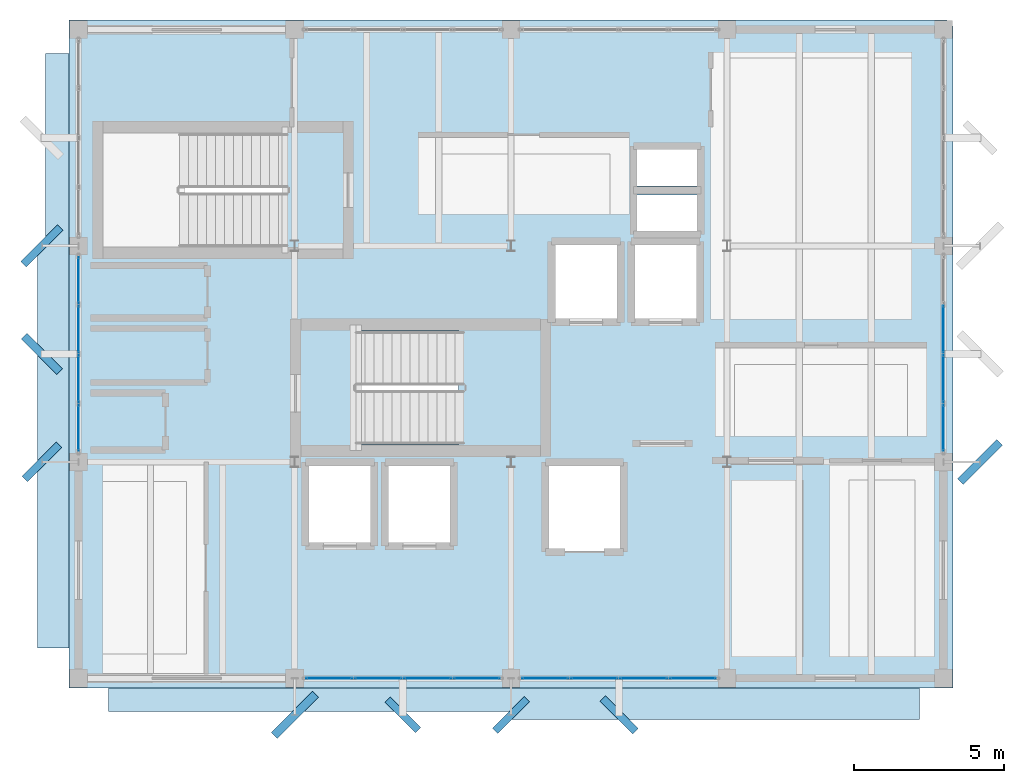
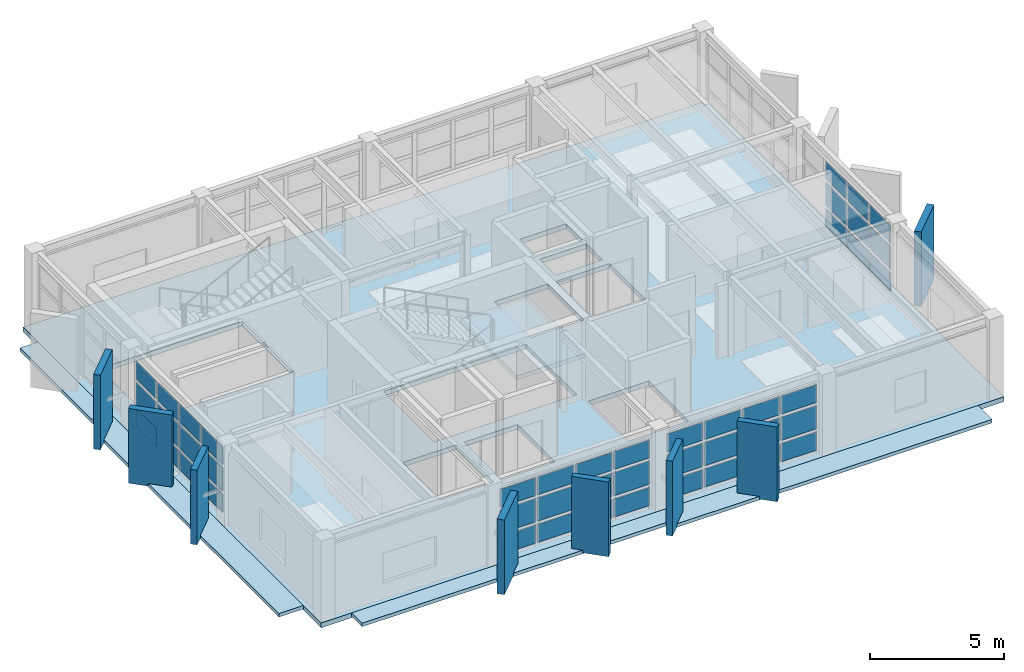
# One storey, part 9 of 15: 53 plates, 4 slabs, 5 elements without a shape of their own.
"""IFC4 building model written with IfcOpenShell, lengths in metres."""

from ifc_helpers import new_model, si_unit, direction, frame, origin, origin_2d, place, context, subcontext, project, spatial, polyline, rectangle, outline, extrude, material, layer, layer_set, type_object, element, aggregate, save


model = new_model("IFC4")

# Units and contexts
model_context = context("Model", 3, precision=1e-05, world=origin(), true_north=direction((0.0, 1.0)))
body_context = subcontext(model_context, "Body", "Model", "MODEL_VIEW")
ifc_project = project(units=[si_unit("LENGTHUNIT", "METRE"), si_unit("AREAUNIT", "SQUARE_METRE"), si_unit("VOLUMEUNIT", "CUBIC_METRE"), si_unit("PLANEANGLEUNIT", "RADIAN"), si_unit("MASSUNIT", "GRAM", prefix="KILO")], contexts=[model_context])

# Site, building, storey
site_placement = place(None, origin())
site = spatial("IfcSite", under=ifc_project, at=site_placement, CompositionType="ELEMENT")
building_placement = place(site_placement, origin())
building = spatial("IfcBuilding", under=site, at=building_placement, Name="Kandorven Conservatory and Botanical Research Centre", CompositionType="ELEMENT")
storey_placement = place(building_placement, frame((0.0, 0.0, 52.199951171875)))
storey = spatial("IfcBuildingStorey", under=building, at=storey_placement, Name="L13", CompositionType="ELEMENT", Elevation=52.199951171875)

# Curtain wall, plates
ifc_material_1 = material(Name="Bronze anodised thermally broken aluminium", Category="aluminium")
ifc_layer_1 = layer(ifc_material_1, 0.179931640625)
ifc_layer_set_1 = layer_set([ifc_layer_1], Name="Bronze anodised thermally broken aluminium")
curtain_wall_type = type_object("IfcCurtainWallType", Name="CW_Unitised", PredefinedType="USERDEFINED", material=ifc_layer_set_1)
curtain_wall_1_placement = place(storey_placement, origin())
curtain_wall_1 = element("IfcCurtainWall", 1, at=curtain_wall_1_placement, inside=storey, type_object=curtain_wall_type, Name="Tower laboratory curtain wall CW-TWR-S-L13-2", ObjectType="UNITISED GLAZING", PredefinedType="USERDEFINED")
ifc_material_2 = material(Name="Double-glazed solar-control low-E glass", Category="glass")
ifc_layer_2 = layer(ifc_material_2, 0.028076171875)
ifc_layer_set_2 = layer_set([ifc_layer_2], Name="Double-glazed solar-control low-E glass")
plate_type_1 = type_object("IfcPlateType", Name="CW_Panel", PredefinedType="CURTAIN_PANEL", material=ifc_layer_set_2)
plate_1_placement = place(storey_placement, frame((14.344970703125, 6.0, 0.14990234375), z_axis=(0.0, 0.0, 1.0), x_axis=(1.0, 0.0, 0.0)))
plate_1 = element("IfcPlate", 2, at=plate_1_placement, type_object=plate_type_1, Name="CW-01 panel 1.1", PredefinedType="CURTAIN_PANEL", context=body_context, shape_type="SweptSolid", body=[
    extrude(rectangle(XDim=1.530029296875, YDim=0.028076171875, at=origin_2d()), origin(), (0.0, 0.0, 1.0), 0.824951171875),
])
plate_2_placement = place(storey_placement, frame((14.344970703125, 6.0, 1.125), z_axis=(0.0, 0.0, 1.0), x_axis=(1.0, 0.0, 0.0)))
plate_2 = element("IfcPlate", 3, at=plate_2_placement, type_object=plate_type_1, Name="CW-01 panel 1.2", PredefinedType="CURTAIN_PANEL", context=body_context, shape_type="SweptSolid", body=[
    extrude(rectangle(XDim=1.530029296875, YDim=0.028076171875, at=origin_2d()), origin(), (0.0, 0.0, 1.0), 1.050048828125),
])
plate_3_placement = place(storey_placement, frame((14.344970703125, 6.0, 2.324951171875), z_axis=(0.0, 0.0, 1.0), x_axis=(1.0, 0.0, 0.0)))
plate_3 = element("IfcPlate", 4, at=plate_3_placement, type_object=plate_type_1, Name="CW-01 panel 1.3", PredefinedType="CURTAIN_PANEL", context=body_context, shape_type="SweptSolid", body=[
    extrude(rectangle(XDim=1.530029296875, YDim=0.028076171875, at=origin_2d()), origin(), (0.0, 0.0, 1.0), 0.81005859375),
])
plate_4_placement = place(storey_placement, frame((15.97509765625, 6.0, 0.14990234375), z_axis=(0.0, 0.0, 1.0), x_axis=(1.0, 0.0, 0.0)))
plate_4 = element("IfcPlate", 5, at=plate_4_placement, type_object=plate_type_1, Name="CW-01 panel 2.1", PredefinedType="CURTAIN_PANEL", context=body_context, shape_type="SweptSolid", body=[
    extrude(rectangle(XDim=1.570068359375, YDim=0.028076171875, at=origin_2d()), origin(), (0.0, 0.0, 1.0), 0.824951171875),
])
plate_5_placement = place(storey_placement, frame((15.97509765625, 6.0, 1.125), z_axis=(0.0, 0.0, 1.0), x_axis=(1.0, 0.0, 0.0)))
plate_5 = element("IfcPlate", 6, at=plate_5_placement, type_object=plate_type_1, Name="CW-01 panel 2.2", PredefinedType="CURTAIN_PANEL", context=body_context, shape_type="SweptSolid", body=[
    extrude(rectangle(XDim=1.570068359375, YDim=0.028076171875, at=origin_2d()), origin(), (0.0, 0.0, 1.0), 1.050048828125),
])
plate_6_placement = place(storey_placement, frame((15.97509765625, 6.0, 2.324951171875), z_axis=(0.0, 0.0, 1.0), x_axis=(1.0, 0.0, 0.0)))
plate_6 = element("IfcPlate", 7, at=plate_6_placement, type_object=plate_type_1, Name="CW-01 panel 2.3", PredefinedType="CURTAIN_PANEL", context=body_context, shape_type="SweptSolid", body=[
    extrude(rectangle(XDim=1.570068359375, YDim=0.028076171875, at=origin_2d()), origin(), (0.0, 0.0, 1.0), 0.81005859375),
])
plate_7_placement = place(storey_placement, frame((17.625, 6.0, 0.14990234375), z_axis=(0.0, 0.0, 1.0), x_axis=(1.0, 0.0, 0.0)))
plate_7 = element("IfcPlate", 8, at=plate_7_placement, type_object=plate_type_1, Name="CW-01 panel 3.1", PredefinedType="CURTAIN_PANEL", context=body_context, shape_type="SweptSolid", body=[
    extrude(rectangle(XDim=1.570068359375, YDim=0.028076171875, at=origin_2d()), origin(), (0.0, 0.0, 1.0), 0.824951171875),
])
plate_8_placement = place(storey_placement, frame((17.625, 6.0, 1.125), z_axis=(0.0, 0.0, 1.0), x_axis=(1.0, 0.0, 0.0)))
plate_8 = element("IfcPlate", 9, at=plate_8_placement, type_object=plate_type_1, Name="CW-01 panel 3.2", PredefinedType="CURTAIN_PANEL", context=body_context, shape_type="SweptSolid", body=[
    extrude(rectangle(XDim=1.570068359375, YDim=0.028076171875, at=origin_2d()), origin(), (0.0, 0.0, 1.0), 1.050048828125),
])
plate_9_placement = place(storey_placement, frame((17.625, 6.0, 2.324951171875), z_axis=(0.0, 0.0, 1.0), x_axis=(1.0, 0.0, 0.0)))
plate_9 = element("IfcPlate", 10, at=plate_9_placement, type_object=plate_type_1, Name="CW-01 panel 3.3", PredefinedType="CURTAIN_PANEL", context=body_context, shape_type="SweptSolid", body=[
    extrude(rectangle(XDim=1.570068359375, YDim=0.028076171875, at=origin_2d()), origin(), (0.0, 0.0, 1.0), 0.81005859375),
])
plate_10_placement = place(storey_placement, frame((19.2548828125, 6.0, 0.14990234375), z_axis=(0.0, 0.0, 1.0), x_axis=(1.0, 0.0, 0.0)))
plate_10 = element("IfcPlate", 11, at=plate_10_placement, type_object=plate_type_1, Name="CW-01 panel 4.1", PredefinedType="CURTAIN_PANEL", context=body_context, shape_type="SweptSolid", body=[
    extrude(rectangle(XDim=1.530029296875, YDim=0.028076171875, at=origin_2d()), origin(), (0.0, 0.0, 1.0), 0.824951171875),
])
plate_11_placement = place(storey_placement, frame((19.2548828125, 6.0, 1.125), z_axis=(0.0, 0.0, 1.0), x_axis=(1.0, 0.0, 0.0)))
plate_11 = element("IfcPlate", 12, at=plate_11_placement, type_object=plate_type_1, Name="CW-01 panel 4.2", PredefinedType="CURTAIN_PANEL", context=body_context, shape_type="SweptSolid", body=[
    extrude(rectangle(XDim=1.530029296875, YDim=0.028076171875, at=origin_2d()), origin(), (0.0, 0.0, 1.0), 1.050048828125),
])
plate_12_placement = place(storey_placement, frame((19.2548828125, 6.0, 2.324951171875), z_axis=(0.0, 0.0, 1.0), x_axis=(1.0, 0.0, 0.0)))
plate_12 = element("IfcPlate", 13, at=plate_12_placement, type_object=plate_type_1, Name="CW-01 panel 4.3", PredefinedType="CURTAIN_PANEL", context=body_context, shape_type="SweptSolid", body=[
    extrude(rectangle(XDim=1.530029296875, YDim=0.028076171875, at=origin_2d()), origin(), (0.0, 0.0, 1.0), 0.81005859375),
])
aggregate(curtain_wall_1, [plate_1, plate_2, plate_3, plate_4, plate_5, plate_6, plate_7, plate_8, plate_9, plate_10, plate_11, plate_12])

curtain_wall_2_placement = place(storey_placement, origin())
curtain_wall_2 = element("IfcCurtainWall", 14, at=curtain_wall_2_placement, inside=storey, type_object=curtain_wall_type, Name="Tower laboratory curtain wall CW-TWR-S-L13-3", ObjectType="UNITISED GLAZING", PredefinedType="USERDEFINED")
plate_13_placement = place(storey_placement, frame((21.544921875, 6.0, 0.14990234375), z_axis=(0.0, 0.0, 1.0), x_axis=(1.0, 0.0, 0.0)))
plate_13 = element("IfcPlate", 15, at=plate_13_placement, type_object=plate_type_1, Name="CW-01 panel 1.1", PredefinedType="CURTAIN_PANEL", context=body_context, shape_type="SweptSolid", body=[
    extrude(rectangle(XDim=1.530029296875, YDim=0.028076171875, at=origin_2d()), origin(), (0.0, 0.0, 1.0), 0.824951171875),
])
plate_14_placement = place(storey_placement, frame((21.544921875, 6.0, 1.125), z_axis=(0.0, 0.0, 1.0), x_axis=(1.0, 0.0, 0.0)))
plate_14 = element("IfcPlate", 16, at=plate_14_placement, type_object=plate_type_1, Name="CW-01 panel 1.2", PredefinedType="CURTAIN_PANEL", context=body_context, shape_type="SweptSolid", body=[
    extrude(rectangle(XDim=1.530029296875, YDim=0.028076171875, at=origin_2d()), origin(), (0.0, 0.0, 1.0), 1.050048828125),
])
plate_15_placement = place(storey_placement, frame((21.544921875, 6.0, 2.324951171875), z_axis=(0.0, 0.0, 1.0), x_axis=(1.0, 0.0, 0.0)))
plate_15 = element("IfcPlate", 17, at=plate_15_placement, type_object=plate_type_1, Name="CW-01 panel 1.3", PredefinedType="CURTAIN_PANEL", context=body_context, shape_type="SweptSolid", body=[
    extrude(rectangle(XDim=1.530029296875, YDim=0.028076171875, at=origin_2d()), origin(), (0.0, 0.0, 1.0), 0.81005859375),
])
plate_16_placement = place(storey_placement, frame((23.175048828125, 6.0, 0.14990234375), z_axis=(0.0, 0.0, 1.0), x_axis=(1.0, 0.0, 0.0)))
plate_16 = element("IfcPlate", 18, at=plate_16_placement, type_object=plate_type_1, Name="CW-01 panel 2.1", PredefinedType="CURTAIN_PANEL", context=body_context, shape_type="SweptSolid", body=[
    extrude(rectangle(XDim=1.570068359375, YDim=0.028076171875, at=origin_2d()), origin(), (0.0, 0.0, 1.0), 0.824951171875),
])
plate_17_placement = place(storey_placement, frame((23.175048828125, 6.0, 1.125), z_axis=(0.0, 0.0, 1.0), x_axis=(1.0, 0.0, 0.0)))
plate_17 = element("IfcPlate", 19, at=plate_17_placement, type_object=plate_type_1, Name="CW-01 panel 2.2", PredefinedType="CURTAIN_PANEL", context=body_context, shape_type="SweptSolid", body=[
    extrude(rectangle(XDim=1.570068359375, YDim=0.028076171875, at=origin_2d()), origin(), (0.0, 0.0, 1.0), 1.050048828125),
])
plate_18_placement = place(storey_placement, frame((23.175048828125, 6.0, 2.324951171875), z_axis=(0.0, 0.0, 1.0), x_axis=(1.0, 0.0, 0.0)))
plate_18 = element("IfcPlate", 20, at=plate_18_placement, type_object=plate_type_1, Name="CW-01 panel 2.3", PredefinedType="CURTAIN_PANEL", context=body_context, shape_type="SweptSolid", body=[
    extrude(rectangle(XDim=1.570068359375, YDim=0.028076171875, at=origin_2d()), origin(), (0.0, 0.0, 1.0), 0.81005859375),
])
plate_19_placement = place(storey_placement, frame((24.824951171875, 6.0, 0.14990234375), z_axis=(0.0, 0.0, 1.0), x_axis=(1.0, 0.0, 0.0)))
plate_19 = element("IfcPlate", 21, at=plate_19_placement, type_object=plate_type_1, Name="CW-01 panel 3.1", PredefinedType="CURTAIN_PANEL", context=body_context, shape_type="SweptSolid", body=[
    extrude(rectangle(XDim=1.570068359375, YDim=0.028076171875, at=origin_2d()), origin(), (0.0, 0.0, 1.0), 0.824951171875),
])
plate_20_placement = place(storey_placement, frame((24.824951171875, 6.0, 1.125), z_axis=(0.0, 0.0, 1.0), x_axis=(1.0, 0.0, 0.0)))
plate_20 = element("IfcPlate", 22, at=plate_20_placement, type_object=plate_type_1, Name="CW-01 panel 3.2", PredefinedType="CURTAIN_PANEL", context=body_context, shape_type="SweptSolid", body=[
    extrude(rectangle(XDim=1.570068359375, YDim=0.028076171875, at=origin_2d()), origin(), (0.0, 0.0, 1.0), 1.050048828125),
])
plate_21_placement = place(storey_placement, frame((24.824951171875, 6.0, 2.324951171875), z_axis=(0.0, 0.0, 1.0), x_axis=(1.0, 0.0, 0.0)))
plate_21 = element("IfcPlate", 23, at=plate_21_placement, type_object=plate_type_1, Name="CW-01 panel 3.3", PredefinedType="CURTAIN_PANEL", context=body_context, shape_type="SweptSolid", body=[
    extrude(rectangle(XDim=1.570068359375, YDim=0.028076171875, at=origin_2d()), origin(), (0.0, 0.0, 1.0), 0.81005859375),
])
plate_22_placement = place(storey_placement, frame((26.455078125, 6.0, 0.14990234375), z_axis=(0.0, 0.0, 1.0), x_axis=(1.0, 0.0, 0.0)))
plate_22 = element("IfcPlate", 24, at=plate_22_placement, type_object=plate_type_1, Name="CW-01 panel 4.1", PredefinedType="CURTAIN_PANEL", context=body_context, shape_type="SweptSolid", body=[
    extrude(rectangle(XDim=1.530029296875, YDim=0.028076171875, at=origin_2d()), origin(), (0.0, 0.0, 1.0), 0.824951171875),
])
plate_23_placement = place(storey_placement, frame((26.455078125, 6.0, 1.125), z_axis=(0.0, 0.0, 1.0), x_axis=(1.0, 0.0, 0.0)))
plate_23 = element("IfcPlate", 25, at=plate_23_placement, type_object=plate_type_1, Name="CW-01 panel 4.2", PredefinedType="CURTAIN_PANEL", context=body_context, shape_type="SweptSolid", body=[
    extrude(rectangle(XDim=1.530029296875, YDim=0.028076171875, at=origin_2d()), origin(), (0.0, 0.0, 1.0), 1.050048828125),
])
plate_24_placement = place(storey_placement, frame((26.455078125, 6.0, 2.324951171875), z_axis=(0.0, 0.0, 1.0), x_axis=(1.0, 0.0, 0.0)))
plate_24 = element("IfcPlate", 26, at=plate_24_placement, type_object=plate_type_1, Name="CW-01 panel 4.3", PredefinedType="CURTAIN_PANEL", context=body_context, shape_type="SweptSolid", body=[
    extrude(rectangle(XDim=1.530029296875, YDim=0.028076171875, at=origin_2d()), origin(), (0.0, 0.0, 1.0), 0.81005859375),
])
aggregate(curtain_wall_2, [plate_13, plate_14, plate_15, plate_16, plate_17, plate_18, plate_19, plate_20, plate_21, plate_22, plate_23, plate_24])

curtain_wall_3_placement = place(storey_placement, origin())
curtain_wall_3 = element("IfcCurtainWall", 27, at=curtain_wall_3_placement, inside=storey, type_object=curtain_wall_type, Name="Tower laboratory curtain wall CW-TWR-W-L13-2", ObjectType="UNITISED GLAZING", PredefinedType="USERDEFINED")
plate_25_placement = place(storey_placement, frame((6.0, 14.344970703125, 0.14990234375), z_axis=(0.0, 0.0, 1.0), x_axis=(0.0, 1.0, 0.0)))
plate_25 = element("IfcPlate", 28, at=plate_25_placement, type_object=plate_type_1, Name="CW-01 panel 1.1", PredefinedType="CURTAIN_PANEL", context=body_context, shape_type="SweptSolid", body=[
    extrude(rectangle(XDim=1.530029296875, YDim=0.028076171875, at=origin_2d()), origin(), (0.0, 0.0, 1.0), 0.824951171875),
])
plate_26_placement = place(storey_placement, frame((6.0, 14.344970703125, 1.125), z_axis=(0.0, 0.0, 1.0), x_axis=(0.0, 1.0, 0.0)))
plate_26 = element("IfcPlate", 29, at=plate_26_placement, type_object=plate_type_1, Name="CW-01 panel 1.2", PredefinedType="CURTAIN_PANEL", context=body_context, shape_type="SweptSolid", body=[
    extrude(rectangle(XDim=1.530029296875, YDim=0.028076171875, at=origin_2d()), origin(), (0.0, 0.0, 1.0), 1.050048828125),
])
plate_27_placement = place(storey_placement, frame((6.0, 14.344970703125, 2.324951171875), z_axis=(0.0, 0.0, 1.0), x_axis=(0.0, 1.0, 0.0)))
plate_27 = element("IfcPlate", 30, at=plate_27_placement, type_object=plate_type_1, Name="CW-01 panel 1.3", PredefinedType="CURTAIN_PANEL", context=body_context, shape_type="SweptSolid", body=[
    extrude(rectangle(XDim=1.530029296875, YDim=0.028076171875, at=origin_2d()), origin(), (0.0, 0.0, 1.0), 0.81005859375),
])
plate_28_placement = place(storey_placement, frame((6.0, 15.97509765625, 0.14990234375), z_axis=(0.0, 0.0, 1.0), x_axis=(0.0, 1.0, 0.0)))
plate_28 = element("IfcPlate", 31, at=plate_28_placement, type_object=plate_type_1, Name="CW-01 panel 2.1", PredefinedType="CURTAIN_PANEL", context=body_context, shape_type="SweptSolid", body=[
    extrude(rectangle(XDim=1.570068359375, YDim=0.028076171875, at=origin_2d()), origin(), (0.0, 0.0, 1.0), 0.824951171875),
])
plate_29_placement = place(storey_placement, frame((6.0, 15.97509765625, 1.125), z_axis=(0.0, 0.0, 1.0), x_axis=(0.0, 1.0, 0.0)))
plate_29 = element("IfcPlate", 32, at=plate_29_placement, type_object=plate_type_1, Name="CW-01 panel 2.2", PredefinedType="CURTAIN_PANEL", context=body_context, shape_type="SweptSolid", body=[
    extrude(rectangle(XDim=1.570068359375, YDim=0.028076171875, at=origin_2d()), origin(), (0.0, 0.0, 1.0), 1.050048828125),
])
plate_30_placement = place(storey_placement, frame((6.0, 15.97509765625, 2.324951171875), z_axis=(0.0, 0.0, 1.0), x_axis=(0.0, 1.0, 0.0)))
plate_30 = element("IfcPlate", 33, at=plate_30_placement, type_object=plate_type_1, Name="CW-01 panel 2.3", PredefinedType="CURTAIN_PANEL", context=body_context, shape_type="SweptSolid", body=[
    extrude(rectangle(XDim=1.570068359375, YDim=0.028076171875, at=origin_2d()), origin(), (0.0, 0.0, 1.0), 0.81005859375),
])
plate_31_placement = place(storey_placement, frame((6.0, 17.625, 0.14990234375), z_axis=(0.0, 0.0, 1.0), x_axis=(0.0, 1.0, 0.0)))
plate_31 = element("IfcPlate", 34, at=plate_31_placement, type_object=plate_type_1, Name="CW-01 panel 3.1", PredefinedType="CURTAIN_PANEL", context=body_context, shape_type="SweptSolid", body=[
    extrude(rectangle(XDim=1.570068359375, YDim=0.028076171875, at=origin_2d()), origin(), (0.0, 0.0, 1.0), 0.824951171875),
])
plate_32_placement = place(storey_placement, frame((6.0, 17.625, 1.125), z_axis=(0.0, 0.0, 1.0), x_axis=(0.0, 1.0, 0.0)))
plate_32 = element("IfcPlate", 35, at=plate_32_placement, type_object=plate_type_1, Name="CW-01 panel 3.2", PredefinedType="CURTAIN_PANEL", context=body_context, shape_type="SweptSolid", body=[
    extrude(rectangle(XDim=1.570068359375, YDim=0.028076171875, at=origin_2d()), origin(), (0.0, 0.0, 1.0), 1.050048828125),
])
plate_33_placement = place(storey_placement, frame((6.0, 17.625, 2.324951171875), z_axis=(0.0, 0.0, 1.0), x_axis=(0.0, 1.0, 0.0)))
plate_33 = element("IfcPlate", 36, at=plate_33_placement, type_object=plate_type_1, Name="CW-01 panel 3.3", PredefinedType="CURTAIN_PANEL", context=body_context, shape_type="SweptSolid", body=[
    extrude(rectangle(XDim=1.570068359375, YDim=0.028076171875, at=origin_2d()), origin(), (0.0, 0.0, 1.0), 0.81005859375),
])
plate_34_placement = place(storey_placement, frame((6.0, 19.2548828125, 0.14990234375), z_axis=(0.0, 0.0, 1.0), x_axis=(0.0, 1.0, 0.0)))
plate_34 = element("IfcPlate", 37, at=plate_34_placement, type_object=plate_type_1, Name="CW-01 panel 4.1", PredefinedType="CURTAIN_PANEL", context=body_context, shape_type="SweptSolid", body=[
    extrude(rectangle(XDim=1.530029296875, YDim=0.028076171875, at=origin_2d()), origin(), (0.0, 0.0, 1.0), 0.824951171875),
])
plate_35_placement = place(storey_placement, frame((6.0, 19.2548828125, 1.125), z_axis=(0.0, 0.0, 1.0), x_axis=(0.0, 1.0, 0.0)))
plate_35 = element("IfcPlate", 38, at=plate_35_placement, type_object=plate_type_1, Name="CW-01 panel 4.2", PredefinedType="CURTAIN_PANEL", context=body_context, shape_type="SweptSolid", body=[
    extrude(rectangle(XDim=1.530029296875, YDim=0.028076171875, at=origin_2d()), origin(), (0.0, 0.0, 1.0), 1.050048828125),
])
plate_36_placement = place(storey_placement, frame((6.0, 19.2548828125, 2.324951171875), z_axis=(0.0, 0.0, 1.0), x_axis=(0.0, 1.0, 0.0)))
plate_36 = element("IfcPlate", 39, at=plate_36_placement, type_object=plate_type_1, Name="CW-01 panel 4.3", PredefinedType="CURTAIN_PANEL", context=body_context, shape_type="SweptSolid", body=[
    extrude(rectangle(XDim=1.530029296875, YDim=0.028076171875, at=origin_2d()), origin(), (0.0, 0.0, 1.0), 0.81005859375),
])
aggregate(curtain_wall_3, [plate_25, plate_26, plate_27, plate_28, plate_29, plate_30, plate_31, plate_32, plate_33, plate_34, plate_35, plate_36])

curtain_wall_4_placement = place(storey_placement, origin())
curtain_wall_4 = element("IfcCurtainWall", 40, at=curtain_wall_4_placement, inside=storey, type_object=curtain_wall_type, Name="Tower laboratory curtain wall CW-TWR-E-L13-2", ObjectType="UNITISED GLAZING", PredefinedType="USERDEFINED")
plate_37_placement = place(storey_placement, frame((34.800048828125, 14.344970703125, 0.14990234375), z_axis=(0.0, 0.0, 1.0), x_axis=(0.0, 1.0, 0.0)))
plate_37 = element("IfcPlate", 41, at=plate_37_placement, type_object=plate_type_1, Name="CW-01 panel 1.1", PredefinedType="CURTAIN_PANEL", context=body_context, shape_type="SweptSolid", body=[
    extrude(rectangle(XDim=1.530029296875, YDim=0.028076171875, at=origin_2d()), origin(), (0.0, 0.0, 1.0), 0.824951171875),
])
plate_38_placement = place(storey_placement, frame((34.800048828125, 14.344970703125, 1.125), z_axis=(0.0, 0.0, 1.0), x_axis=(0.0, 1.0, 0.0)))
plate_38 = element("IfcPlate", 42, at=plate_38_placement, type_object=plate_type_1, Name="CW-01 panel 1.2", PredefinedType="CURTAIN_PANEL", context=body_context, shape_type="SweptSolid", body=[
    extrude(rectangle(XDim=1.530029296875, YDim=0.028076171875, at=origin_2d()), origin(), (0.0, 0.0, 1.0), 1.050048828125),
])
plate_39_placement = place(storey_placement, frame((34.800048828125, 14.344970703125, 2.324951171875), z_axis=(0.0, 0.0, 1.0), x_axis=(0.0, 1.0, 0.0)))
plate_39 = element("IfcPlate", 43, at=plate_39_placement, type_object=plate_type_1, Name="CW-01 panel 1.3", PredefinedType="CURTAIN_PANEL", context=body_context, shape_type="SweptSolid", body=[
    extrude(rectangle(XDim=1.530029296875, YDim=0.028076171875, at=origin_2d()), origin(), (0.0, 0.0, 1.0), 0.81005859375),
])
plate_40_placement = place(storey_placement, frame((34.800048828125, 15.97509765625, 0.14990234375), z_axis=(0.0, 0.0, 1.0), x_axis=(0.0, 1.0, 0.0)))
plate_40 = element("IfcPlate", 44, at=plate_40_placement, type_object=plate_type_1, Name="CW-01 panel 2.1", PredefinedType="CURTAIN_PANEL", context=body_context, shape_type="SweptSolid", body=[
    extrude(rectangle(XDim=1.570068359375, YDim=0.028076171875, at=origin_2d()), origin(), (0.0, 0.0, 1.0), 0.824951171875),
])
plate_41_placement = place(storey_placement, frame((34.800048828125, 15.97509765625, 1.125), z_axis=(0.0, 0.0, 1.0), x_axis=(0.0, 1.0, 0.0)))
plate_41 = element("IfcPlate", 45, at=plate_41_placement, type_object=plate_type_1, Name="CW-01 panel 2.2", PredefinedType="CURTAIN_PANEL", context=body_context, shape_type="SweptSolid", body=[
    extrude(rectangle(XDim=1.570068359375, YDim=0.028076171875, at=origin_2d()), origin(), (0.0, 0.0, 1.0), 1.050048828125),
])
plate_42_placement = place(storey_placement, frame((34.800048828125, 15.97509765625, 2.324951171875), z_axis=(0.0, 0.0, 1.0), x_axis=(0.0, 1.0, 0.0)))
plate_42 = element("IfcPlate", 46, at=plate_42_placement, type_object=plate_type_1, Name="CW-01 panel 2.3", PredefinedType="CURTAIN_PANEL", context=body_context, shape_type="SweptSolid", body=[
    extrude(rectangle(XDim=1.570068359375, YDim=0.028076171875, at=origin_2d()), origin(), (0.0, 0.0, 1.0), 0.81005859375),
])
plate_43_placement = place(storey_placement, frame((34.800048828125, 17.625, 0.14990234375), z_axis=(0.0, 0.0, 1.0), x_axis=(0.0, 1.0, 0.0)))
plate_43 = element("IfcPlate", 47, at=plate_43_placement, type_object=plate_type_1, Name="CW-01 panel 3.1", PredefinedType="CURTAIN_PANEL", context=body_context, shape_type="SweptSolid", body=[
    extrude(rectangle(XDim=1.570068359375, YDim=0.028076171875, at=origin_2d()), origin(), (0.0, 0.0, 1.0), 0.824951171875),
])
plate_44_placement = place(storey_placement, frame((34.800048828125, 17.625, 1.125), z_axis=(0.0, 0.0, 1.0), x_axis=(0.0, 1.0, 0.0)))
plate_44 = element("IfcPlate", 48, at=plate_44_placement, type_object=plate_type_1, Name="CW-01 panel 3.2", PredefinedType="CURTAIN_PANEL", context=body_context, shape_type="SweptSolid", body=[
    extrude(rectangle(XDim=1.570068359375, YDim=0.028076171875, at=origin_2d()), origin(), (0.0, 0.0, 1.0), 1.050048828125),
])
plate_45_placement = place(storey_placement, frame((34.800048828125, 17.625, 2.324951171875), z_axis=(0.0, 0.0, 1.0), x_axis=(0.0, 1.0, 0.0)))
plate_45 = element("IfcPlate", 49, at=plate_45_placement, type_object=plate_type_1, Name="CW-01 panel 3.3", PredefinedType="CURTAIN_PANEL", context=body_context, shape_type="SweptSolid", body=[
    extrude(rectangle(XDim=1.570068359375, YDim=0.028076171875, at=origin_2d()), origin(), (0.0, 0.0, 1.0), 0.81005859375),
])
aggregate(curtain_wall_4, [plate_37, plate_38, plate_39, plate_40, plate_41, plate_42, plate_43, plate_44, plate_45])

# Plates
ifc_material_3 = material(Name="Precast concrete C40/50 (M50)", Category="concrete")
ifc_layer_3 = layer(ifc_material_3, 0.284912109375)
ifc_layer_set_3 = layer_set([ifc_layer_3], Name="Precast concrete C40/50 (M50)")
plate_type_2 = type_object("IfcPlateType", Name="Fin_BF-10", PredefinedType="USERDEFINED", material=ifc_layer_set_3)
plate_46_placement = place(storey_placement, frame((13.199951171875, 4.780029296875, -0.1201171875), z_axis=(0.0, 0.0, 1.0), x_axis=(0.707106781187, 0.707106781187, 0.0)))
element("IfcPlate", 50, at=plate_46_placement, inside=storey, type_object=plate_type_2, Name="Sculpted board-marked concrete brise-soleil fin BF-10", ObjectType="SOLAR FIN", PredefinedType="USERDEFINED", context=body_context, shape_type="SweptSolid", body=[
    extrude(rectangle(XDim=1.93994140625, YDim=0.284912109375, at=origin_2d()), origin(), (0.0, 0.0, 1.0), 3.405029296875),
])
ifc_material_4 = material(Name="Precast concrete C40/50 (M50)", Category="concrete")
ifc_layer_4 = layer(ifc_material_4, 0.241943359375)
ifc_layer_set_4 = layer_set([ifc_layer_4], Name="Precast concrete C40/50 (M50)")
plate_type_3 = type_object("IfcPlateType", Name="Fin_BF-11", PredefinedType="USERDEFINED", material=ifc_layer_set_4)
plate_47_placement = place(storey_placement, frame((16.800048828125, 4.780029296875, -0.1201171875), z_axis=(0.0, 0.0, 1.0), x_axis=(-0.707106781187, 0.707106781187, 0.0)))
element("IfcPlate", 51, at=plate_47_placement, inside=storey, type_object=plate_type_3, Name="Sculpted board-marked concrete brise-soleil fin BF-11", ObjectType="SOLAR FIN", PredefinedType="USERDEFINED", context=body_context, shape_type="SweptSolid", body=[
    extrude(rectangle(XDim=1.429931640625, YDim=0.241943359375, at=origin_2d()), origin(), (0.0, 0.0, 1.0), 3.405029296875),
])
ifc_material_5 = material(Name="Precast concrete C40/50 (M50)", Category="concrete")
ifc_layer_5 = layer(ifc_material_5, 0.248046875)
ifc_layer_set_5 = layer_set([ifc_layer_5], Name="Precast concrete C40/50 (M50)")
plate_type_4 = type_object("IfcPlateType", Name="Fin_BF-12", PredefinedType="USERDEFINED", material=ifc_layer_set_5)
plate_48_placement = place(storey_placement, frame((20.39990234375, 4.780029296875, -0.1201171875), z_axis=(0.0, 0.0, 1.0), x_axis=(0.707106781187, 0.707106781187, 0.0)))
element("IfcPlate", 52, at=plate_48_placement, inside=storey, type_object=plate_type_4, Name="Sculpted board-marked concrete brise-soleil fin BF-12", ObjectType="SOLAR FIN", PredefinedType="USERDEFINED", context=body_context, shape_type="SweptSolid", body=[
    extrude(rectangle(XDim=1.489990234375, YDim=0.248046875, at=origin_2d()), origin(), (0.0, 0.0, 1.0), 3.405029296875),
])
ifc_material_6 = material(Name="Precast concrete C40/50 (M50)", Category="concrete")
ifc_layer_6 = layer(ifc_material_6, 0.251953125)
ifc_layer_set_6 = layer_set([ifc_layer_6], Name="Precast concrete C40/50 (M50)")
plate_type_5 = type_object("IfcPlateType", Name="Fin_BF-13", PredefinedType="USERDEFINED", material=ifc_layer_set_6)
plate_49_placement = place(storey_placement, frame((24.0, 4.780029296875, -0.1201171875), z_axis=(0.0, 0.0, 1.0), x_axis=(-0.707106781187, 0.707106781187, 0.0)))
element("IfcPlate", 53, at=plate_49_placement, inside=storey, type_object=plate_type_5, Name="Sculpted board-marked concrete brise-soleil fin BF-13", ObjectType="SOLAR FIN", PredefinedType="USERDEFINED", context=body_context, shape_type="SweptSolid", body=[
    extrude(rectangle(XDim=1.550048828125, YDim=0.251953125, at=origin_2d()), origin(), (0.0, 0.0, 1.0), 3.405029296875),
])
ifc_material_7 = material(Name="Precast concrete C40/50 (M50)", Category="concrete")
ifc_layer_7 = layer(ifc_material_7, 0.256103515625)
ifc_layer_set_7 = layer_set([ifc_layer_7], Name="Precast concrete C40/50 (M50)")
plate_type_6 = type_object("IfcPlateType", Name="Fin_BF-14", PredefinedType="USERDEFINED", material=ifc_layer_set_7)
plate_50_placement = place(storey_placement, frame((4.780029296875, 13.199951171875, -0.1201171875), z_axis=(0.0, 0.0, 1.0), x_axis=(0.707106781187, 0.707106781187, 0.0)))
element("IfcPlate", 54, at=plate_50_placement, inside=storey, type_object=plate_type_6, Name="Sculpted board-marked concrete brise-soleil fin BF-14", ObjectType="SOLAR FIN", PredefinedType="USERDEFINED", context=body_context, shape_type="SweptSolid", body=[
    extrude(rectangle(XDim=1.610107421875, YDim=0.256103515625, at=origin_2d()), origin(), (0.0, 0.0, 1.0), 3.405029296875),
])
ifc_material_8 = material(Name="Precast concrete C40/50 (M50)", Category="concrete")
ifc_layer_8 = layer(ifc_material_8, 0.261962890625)
ifc_layer_set_8 = layer_set([ifc_layer_8], Name="Precast concrete C40/50 (M50)")
plate_type_7 = type_object("IfcPlateType", Name="Fin_BF-15", PredefinedType="USERDEFINED", material=ifc_layer_set_8)
plate_51_placement = place(storey_placement, frame((4.780029296875, 16.800048828125, -0.1201171875), z_axis=(0.0, 0.0, 1.0), x_axis=(-0.707106781187, 0.707106781187, 0.0)))
element("IfcPlate", 55, at=plate_51_placement, inside=storey, type_object=plate_type_7, Name="Sculpted board-marked concrete brise-soleil fin BF-15", ObjectType="SOLAR FIN", PredefinedType="USERDEFINED", context=body_context, shape_type="SweptSolid", body=[
    extrude(rectangle(XDim=1.669921875, YDim=0.261962890625, at=origin_2d()), origin(), (0.0, 0.0, 1.0), 3.405029296875),
])
ifc_material_9 = material(Name="Precast concrete C40/50 (M50)", Category="concrete")
ifc_layer_9 = layer(ifc_material_9, 0.26611328125)
ifc_layer_set_9 = layer_set([ifc_layer_9], Name="Precast concrete C40/50 (M50)")
plate_type_8 = type_object("IfcPlateType", Name="Fin_BF-16", PredefinedType="USERDEFINED", material=ifc_layer_set_9)
plate_52_placement = place(storey_placement, frame((4.780029296875, 20.39990234375, -0.1201171875), z_axis=(0.0, 0.0, 1.0), x_axis=(0.707106781187, 0.707106781187, 0.0)))
element("IfcPlate", 56, at=plate_52_placement, inside=storey, type_object=plate_type_8, Name="Sculpted board-marked concrete brise-soleil fin BF-16", ObjectType="SOLAR FIN", PredefinedType="USERDEFINED", context=body_context, shape_type="SweptSolid", body=[
    extrude(rectangle(XDim=1.72998046875, YDim=0.26611328125, at=origin_2d()), origin(), (0.0, 0.0, 1.0), 3.405029296875),
])
ifc_material_10 = material(Name="Precast concrete C40/50 (M50)", Category="concrete")
ifc_layer_10 = layer(ifc_material_10, 0.27587890625)
ifc_layer_set_10 = layer_set([ifc_layer_10], Name="Precast concrete C40/50 (M50)")
plate_type_9 = type_object("IfcPlateType", Name="Fin_BF-18", PredefinedType="USERDEFINED", material=ifc_layer_set_10)
plate_53_placement = place(storey_placement, frame((36.02001953125, 13.199951171875, -0.1201171875), z_axis=(0.0, 0.0, 1.0), x_axis=(0.707106781187, 0.707106781187, 0.0)))
element("IfcPlate", 57, at=plate_53_placement, inside=storey, type_object=plate_type_9, Name="Sculpted board-marked concrete brise-soleil fin BF-18", ObjectType="SOLAR FIN", PredefinedType="USERDEFINED", context=body_context, shape_type="SweptSolid", body=[
    extrude(rectangle(XDim=1.85009765625, YDim=0.27587890625, at=origin_2d()), origin(), (0.0, 0.0, 1.0), 3.405029296875),
])

# Slabs
ifc_material_11 = material(Name="Concrete C32/40 (M40)", Category="concrete")
ifc_layer_11 = layer(ifc_material_11, 0.219970703125)
ifc_layer_set_11 = layer_set([ifc_layer_11], Name="Concrete C32/40 (M40)")
slab_type_1 = type_object("IfcSlabType", Name="Slab_SL-09", PredefinedType="FLOOR", material=ifc_layer_set_11)
slab_1_placement = place(storey_placement, frame((0.0, 0.0, -0.219970703125)))
element("IfcSlab", 58, at=slab_1_placement, inside=storey, type_object=slab_type_1, Name="Tower floor slab L13", PredefinedType="FLOOR", context=body_context, shape_type="SweptSolid", body=[
    extrude(outline(polyline([(5.679931640625, 5.679931640625), (35.1201171875, 5.679931640625), (35.1201171875, 27.719970703125), (34.919921875, 27.719970703125), (34.919921875, 27.919921875), (5.679931640625, 27.919921875), (5.679931640625, 5.679931640625)]), holes=[polyline([(15.239990234375, 13.780029296875), (21.3798828125, 13.780029296875), (21.3798828125, 17.570068359375), (15.239990234375, 17.570068359375), (15.239990234375, 13.780029296875)]), polyline([(12.9599609375, 24.14990234375), (6.820068359375, 24.14990234375), (6.820068359375, 20.360107421875), (12.9599609375, 20.360107421875), (12.9599609375, 24.14990234375)]), polyline([(21.75, 17.85009765625), (24.050048828125, 17.85009765625), (24.050048828125, 20.550048828125), (21.75, 20.550048828125), (21.75, 17.85009765625)]), polyline([(24.39990234375, 17.85009765625), (26.699951171875, 17.85009765625), (26.699951171875, 20.550048828125), (24.39990234375, 20.550048828125), (24.39990234375, 17.85009765625)]), polyline([(13.550048828125, 10.39990234375), (15.85009765625, 10.39990234375), (15.85009765625, 13.199951171875), (13.550048828125, 13.199951171875), (13.550048828125, 10.39990234375)]), polyline([(16.199951171875, 10.39990234375), (18.5, 10.39990234375), (18.5, 13.199951171875), (16.199951171875, 13.199951171875), (16.199951171875, 10.39990234375)]), polyline([(21.550048828125, 10.199951171875), (24.14990234375, 10.199951171875), (24.14990234375, 13.199951171875), (21.550048828125, 13.199951171875), (21.550048828125, 10.199951171875)]), polyline([(24.60009765625, 20.89990234375), (26.60009765625, 20.89990234375), (26.60009765625, 22.10009765625), (24.60009765625, 22.10009765625), (24.60009765625, 20.89990234375)]), polyline([(24.60009765625, 22.39990234375), (26.60009765625, 22.39990234375), (26.60009765625, 23.60009765625), (24.60009765625, 23.60009765625), (24.60009765625, 22.39990234375)])]), origin(), (0.0, 0.0, 1.0), 0.219970703125),
])
ifc_material_12 = material(Name="Concrete C32/40 (M40)", Category="concrete")
ifc_layer_12 = layer(ifc_material_12, 0.159912109375)
ifc_layer_set_12 = layer_set([ifc_layer_12], Name="Concrete C32/40 (M40)")
slab_type_2 = type_object("IfcSlabType", Name="Slab_SL-14", PredefinedType="FLOOR", material=ifc_layer_set_12)
slab_2_placement = place(storey_placement, frame((0.0, 0.0, -0.159912109375)))
element("IfcSlab", 59, at=slab_2_placement, inside=storey, type_object=slab_type_2, Name="Tower south sculpted concrete solar-hood slab L13", PredefinedType="FLOOR", context=body_context, shape_type="SweptSolid", body=[
    extrude(outline(polyline([(7.0, 5.679931640625), (34.0, 5.679931640625), (34.0, 4.6298828125), (20.39990234375, 4.6298828125), (20.39990234375, 4.89990234375), (7.0, 4.89990234375), (7.0, 5.679931640625)])), origin(), (0.0, 0.0, 1.0), 0.159912109375),
])
slab_3_placement = place(storey_placement, frame((0.0, 0.0, -0.159912109375)))
element("IfcSlab", 60, at=slab_3_placement, inside=storey, type_object=slab_type_2, Name="Tower west sculpted concrete solar-hood slab L13", PredefinedType="FLOOR", context=body_context, shape_type="SweptSolid", body=[
    extrude(outline(polyline([(4.6298828125, 7.0), (5.679931640625, 7.0), (5.679931640625, 26.800048828125), (4.89990234375, 26.800048828125), (4.89990234375, 20.39990234375), (4.6298828125, 20.39990234375), (4.6298828125, 7.0)])), origin(), (0.0, 0.0, 1.0), 0.159912109375),
])

# Stair, slab
ifc_material_13 = material(Name="Concrete C32/40 (M40)", Category="concrete")
stair_type = type_object("IfcStairType", Name="Stair_1820", PredefinedType="HALF_TURN_STAIR", material=ifc_material_13)
stair_placement = place(storey_placement, origin())
stair = element("IfcStair", 61, at=stair_placement, inside=storey, type_object=stair_type, Name="L13 Tower Fire Stair ST-T1", PredefinedType="HALF_TURN_STAIR")
ifc_material_14 = material(Name="Concrete C32/40 (M40)", Category="concrete")
ifc_layer_13 = layer(ifc_material_14, 0.199951171875)
ifc_layer_set_13 = layer_set([ifc_layer_13], Name="Concrete C32/40 (M40)")
slab_type_3 = type_object("IfcSlabType", Name="StairLanding_200", PredefinedType="LANDING", material=ifc_layer_set_13)
slab_4_placement = place(storey_placement, frame((0.0, 0.0, 1.75)))
slab_4 = element("IfcSlab", 62, at=slab_4_placement, type_object=slab_type_3, Name="ST-T1 landing 1", PredefinedType="LANDING", context=body_context, shape_type="SweptSolid", body=[
    extrude(outline(polyline([(18.659423828125, 13.5400390625), (21.6201171875, 13.5400390625), (21.6201171875, 17.81005859375), (18.659423828125, 17.81005859375), (18.659423828125, 13.5400390625)])), origin(), (0.0, 0.0, 1.0), 0.199951171875),
])
aggregate(stair, [slab_4])

save(model, "model.ifc")
